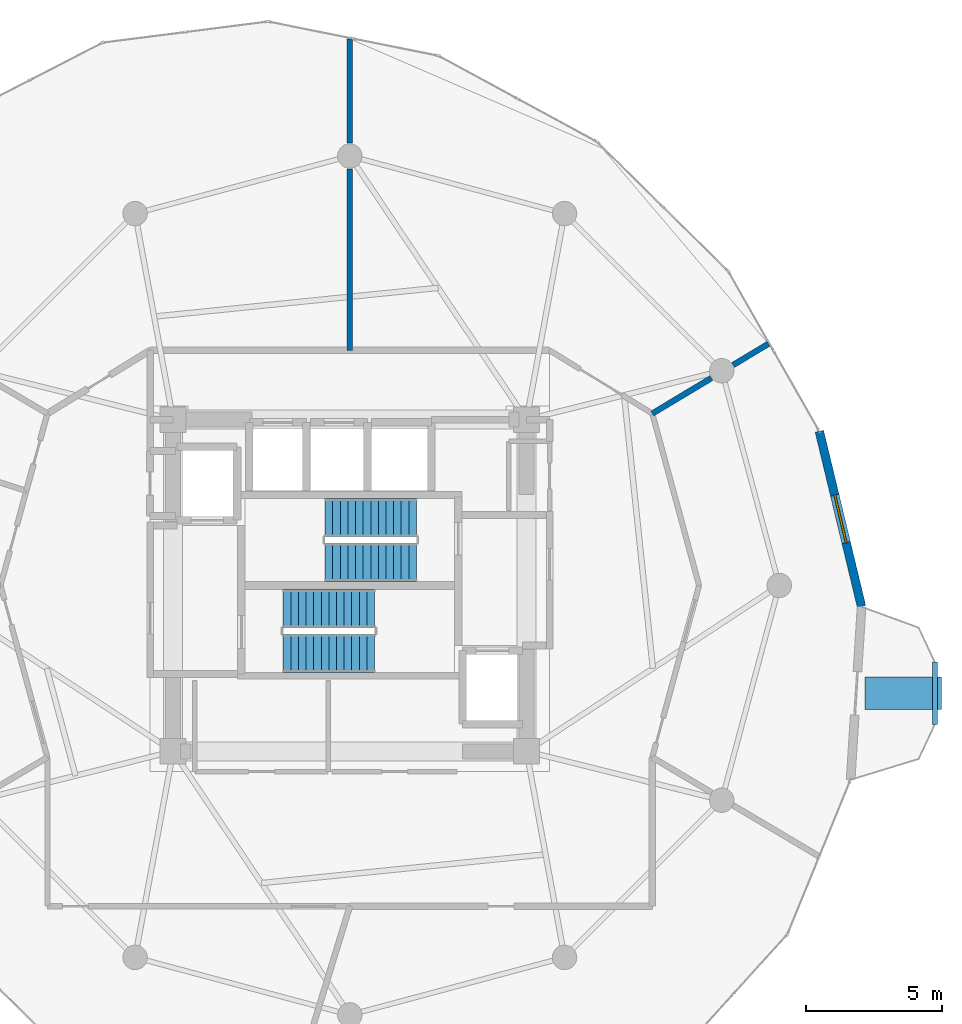
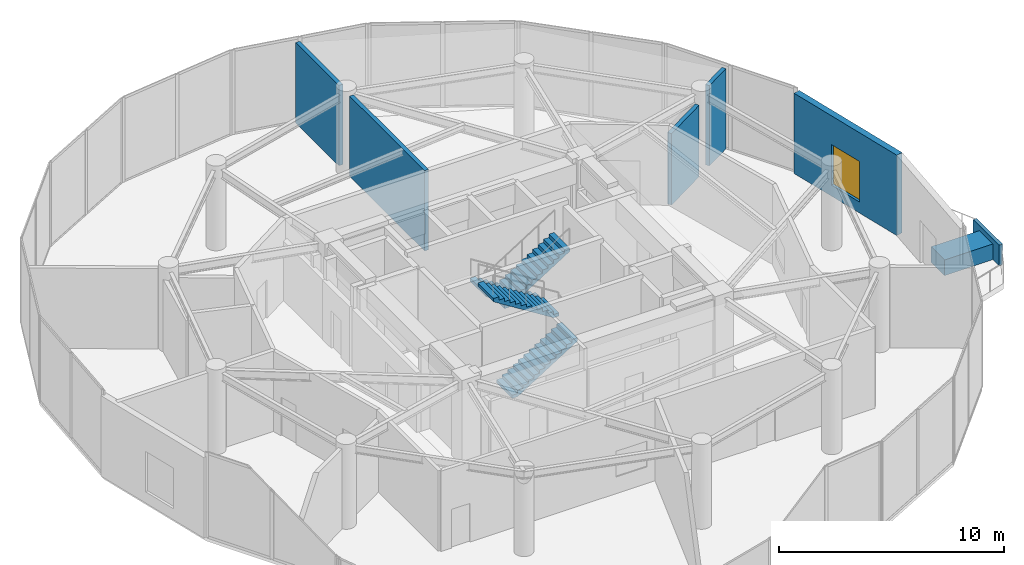
# One storey, part 21 of 23: 6 walls, 4 stair flights, 1 discrete accessory, 1 window, 1 opening, 2 elements without a shape of their own.
"""IFC4 building model written with IfcOpenShell, lengths in metres."""

from ifc_helpers import new_model, si_unit, direction, frame, frame_2d, origin, origin_2d, place, context, subcontext, project, spatial, polyline, rectangle, outline, extrude, material, layer, layer_set, type_object, element, fill, aggregate, save


model = new_model("IFC4")

# Units and contexts
model_context = context("Model", 3, precision=1e-05, world=origin(), true_north=direction((0.0, 1.0)))
body_context = subcontext(model_context, "Body", "Model", "MODEL_VIEW")
ifc_project = project(units=[si_unit("LENGTHUNIT", "METRE"), si_unit("AREAUNIT", "SQUARE_METRE"), si_unit("VOLUMEUNIT", "CUBIC_METRE"), si_unit("PLANEANGLEUNIT", "RADIAN"), si_unit("MASSUNIT", "GRAM", prefix="KILO")], contexts=[model_context])

# Site, building, storey
site_placement = place(None, origin())
site = spatial("IfcSite", under=ifc_project, at=site_placement, CompositionType="ELEMENT")
building_placement = place(site_placement, origin())
building = spatial("IfcBuilding", under=site, at=building_placement, Name="Solvirekh Grand Hotel", CompositionType="ELEMENT")
storey_placement = place(building_placement, frame((0.0, 0.0, 168.60009765625)))
storey = spatial("IfcBuildingStorey", under=building, at=storey_placement, Name="L43", CompositionType="ELEMENT", Elevation=168.60009765625)

# Wall, opening, window
ifc_material_1 = material(Name="Precast concrete C45/55", Category="concrete")
ifc_layer_1 = layer(ifc_material_1, 0.320068359375)
ifc_layer_set_1 = layer_set([ifc_layer_1], Name="Precast concrete C45/55")
wall_type_1 = type_object("IfcWallType", Name="ExtLobbyWall_RC320", PredefinedType="SOLIDWALL", material=ifc_layer_set_1)
wall_1_placement = place(storey_placement, frame((17.27587890625, 5.675048828125, 0.0), z_axis=(0.0, 0.0, 1.0), x_axis=(0.23383620468, -0.972276004734, 0.0)))
wall_1 = element("IfcWall", 1, at=wall_1_placement, inside=storey, type_object=wall_type_1, Name="L43 exterior structural wall chord 4", PredefinedType="SOLIDWALL", context=body_context, shape_type="SweptSolid", body=[
    extrude(rectangle(XDim=6.63720703125, YDim=0.320068359375, at=frame_2d((3.318603515625, 0.0))), origin(), (0.0, 0.0, 1.0), 4.35986328125),
])
opening_placement = place(wall_1_placement, frame((2.4189453125, 0.0, 0.60009765625)))
opening = element("IfcOpeningElement", 2, at=opening_placement, cuts=wall_1, Name="Opening SK02", PredefinedType="OPENING", context=body_context, shape_type="SweptSolid", body=[
    extrude(rectangle(XDim=1.800048828125, YDim=2.199951171875, at=frame_2d((0.89990234375, 1.10009765625))), frame((0.0, 0.169921875, 0.0), z_axis=(0.0, -1.0, 0.0), x_axis=(1.0, 0.0, 0.0)), (0.0, 0.0, 1.0), 0.340087890625),
])
ifc_material_2 = material(Name="Champagne Low-Iron Crown Laminated Glass", Category="glass")
window_type = type_object("IfcWindowType", Name="Skylight_Pod_1800X2200", PartitioningType="SINGLE_PANEL", PredefinedType="SKYLIGHT", material=ifc_material_2)
window_placement = place(opening_placement, origin())
window = element("IfcWindow", 3, at=window_placement, inside=storey, type_object=window_type, Name="L43 high-level clerestory skylight 4", OverallHeight=2.199951171875, OverallWidth=1.800048828125, PartitioningType="SINGLE_PANEL", PredefinedType="SKYLIGHT", context=body_context, shape_type="SweptSolid", body=[
    extrude(rectangle(XDim=1.800048828125, YDim=2.199951171875, at=frame_2d((0.89990234375, 1.10009765625))), frame((0.0, 0.030029296875, 0.0), z_axis=(0.0, -1.0, 0.0), x_axis=(1.0, 0.0, 0.0)), (0.0, 0.0, 1.0), 0.06005859375),
])
fill(opening, window)

# Walls
ifc_layer_2 = layer(ifc_material_1, 0.179931640625)
ifc_layer_set_2 = layer_set([ifc_layer_2], Name="Precast concrete C45/55")
wall_type_2 = type_object("IfcWallType", Name="ExtPlanterWall_180", PredefinedType="PARAPET", material=ifc_layer_set_2)
wall_2_placement = place(storey_placement, frame((21.528076171875, -5.114013671875, 0.0), z_axis=(0.0, 0.0, 1.0), x_axis=(0.0, 1.0, 0.0)))
element("IfcWall", 4, at=wall_2_placement, inside=storey, type_object=wall_type_2, Name="L43 horn sky-garden planter parapet", PredefinedType="PARAPET", context=body_context, shape_type="SweptSolid", body=[
    extrude(rectangle(XDim=2.294921875, YDim=0.179931640625, at=frame_2d((1.1474609375, 0.0))), origin(), (0.0, 0.0, 1.0), 1.119873046875),
])
ifc_material_3 = material(Name="Acoustic Gypsum Partition Assembly")
ifc_layer_3 = layer(ifc_material_3, 0.2099609375)
ifc_layer_set_3 = layer_set([ifc_layer_3], Name="Acoustic Gypsum Partition Assembly")
wall_type_3 = type_object("IfcWallType", Name="Part_SuiteDemise_210", PredefinedType="PARTITIONING", material=ifc_layer_set_3)
wall_3_placement = place(storey_placement, frame((11.1279296875, 6.324951171875, 0.0), z_axis=(0.0, 0.0, 1.0), x_axis=(0.857271697039, 0.514864290328, 0.0)))
element("IfcWall", 5, at=wall_3_placement, inside=storey, type_object=wall_type_3, Name="L43 radial demising wall 2 (A)", PredefinedType="PARTITIONING", context=body_context, shape_type="SweptSolid", body=[
    extrude(rectangle(XDim=2.53271484375, YDim=0.2099609375, at=frame_2d((1.266357421875, 0.0))), origin(), (0.0, 0.0, 1.0), 3.876953125),
])
wall_4_placement = place(storey_placement, frame((14.10302734375, 8.112060546875, 0.0), z_axis=(0.0, 0.0, 1.0), x_axis=(0.857222267269, 0.514946584122, 0.0)))
element("IfcWall", 6, at=wall_4_placement, inside=storey, type_object=wall_type_3, Name="L43 radial demising wall 2 (B)", PredefinedType="PARTITIONING", context=body_context, shape_type="SweptSolid", body=[
    extrude(rectangle(XDim=1.512939453125, YDim=0.2099609375, at=frame_2d((0.75634765625, 0.0))), origin(), (0.0, 0.0, 1.0), 4.35986328125),
])
wall_5_placement = place(storey_placement, frame((0.0, 8.64990234375, 0.0), z_axis=(0.0, 0.0, 1.0), x_axis=(0.0, 1.0, 0.0)))
element("IfcWall", 7, at=wall_5_placement, inside=storey, type_object=wall_type_3, Name="L43 Upper Sky Lobby dividing partition 1 (A)", PredefinedType="PARTITIONING", context=body_context, shape_type="SweptSolid", body=[
    extrude(rectangle(XDim=6.68017578125, YDim=0.2099609375, at=frame_2d((3.340087890625, 0.0))), origin(), (0.0, 0.0, 1.0), 4.35986328125),
])
wall_6_placement = place(storey_placement, frame((0.0, 16.27001953125, 0.0), z_axis=(0.0, 0.0, 1.0), x_axis=(0.0, 1.0, 0.0)))
element("IfcWall", 8, at=wall_6_placement, inside=storey, type_object=wall_type_3, Name="L43 Upper Sky Lobby dividing partition 1 (B)", PredefinedType="PARTITIONING", context=body_context, shape_type="SweptSolid", body=[
    extrude(rectangle(XDim=3.843994140625, YDim=0.2099609375, at=frame_2d((1.921875, 0.0))), origin(), (0.0, 0.0, 1.0), 4.35986328125),
])

# Stair, stair flights
ifc_material_4 = material(Name="Concrete C40/50", Category="concrete")
stair_type = type_object("IfcStairType", Name="Stair_Core_1450", PredefinedType="HALF_TURN_STAIR", material=ifc_material_4)
stair_1_placement = place(storey_placement, origin())
stair_1 = element("IfcStair", 9, at=stair_1_placement, inside=storey, type_object=stair_type, Name="L43 Enclosed exit stair ST-1", PredefinedType="HALF_TURN_STAIR")
stair_flight_type = type_object("IfcStairFlightType", Name="Flight_Core_1450", PredefinedType="STRAIGHT", material=ifc_material_4)
stair_flight_1_placement = place(storey_placement, frame((-2.449951171875, -2.5, 0.0), z_axis=(0.0, 0.0, 1.0), x_axis=(1.0, 0.0, 0.0)))
stair_flight_1 = element("IfcStairFlight", 10, at=stair_flight_1_placement, type_object=stair_flight_type, Name="ST-1 flight 1", NumberOfRisers=13, NumberOfTreads=12, PredefinedType="STRAIGHT", RiserHeight=0.176923077, TreadLength=0.28, context=body_context, shape_type="SweptSolid", body=[
    extrude(outline(polyline([(0.0, 0.0), (0.0, 0.177001953125), (0.280029296875, 0.177001953125), (0.280029296875, 0.353759765625), (0.56005859375, 0.353759765625), (0.56005859375, 0.53076171875), (0.840087890625, 0.53076171875), (0.840087890625, 0.707763671875), (1.1201171875, 0.707763671875), (1.1201171875, 0.884521484375), (1.39990234375, 0.884521484375), (1.39990234375, 1.0615234375), (1.679931640625, 1.0615234375), (1.679931640625, 1.238525390625), (1.9599609375, 1.238525390625), (1.9599609375, 1.415283203125), (2.239990234375, 1.415283203125), (2.239990234375, 1.59228515625), (2.52001953125, 1.59228515625), (2.52001953125, 1.769287109375), (2.800048828125, 1.769287109375), (2.800048828125, 1.946044921875), (3.080078125, 1.946044921875), (3.080078125, 2.123046875), (3.360107421875, 2.123046875), (3.360107421875, 2.300048828125), (3.360107421875, 1.94580078125), (0.280517578125, 0.0), (0.0, 0.0)])), frame((0.0, 0.699951171875, 0.0), z_axis=(0.0, -1.0, 0.0), x_axis=(1.0, 0.0, 0.0)), (0.0, 0.0, 1.0), 1.39990234375),
])
stair_flight_2_placement = place(storey_placement, frame((0.909912109375, -0.85009765625, 2.2998046875), z_axis=(0.0, 0.0, 1.0), x_axis=(-1.0, 0.0, 0.0)))
stair_flight_2 = element("IfcStairFlight", 11, at=stair_flight_2_placement, type_object=stair_flight_type, Name="ST-1 flight 2", NumberOfRisers=13, NumberOfTreads=12, PredefinedType="STRAIGHT", RiserHeight=0.176923077, TreadLength=0.28, context=body_context, shape_type="SweptSolid", body=[
    extrude(outline(polyline([(0.0, 0.0), (0.0, 0.177001953125), (0.280029296875, 0.177001953125), (0.280029296875, 0.353759765625), (0.56005859375, 0.353759765625), (0.56005859375, 0.53076171875), (0.840087890625, 0.53076171875), (0.840087890625, 0.707763671875), (1.1201171875, 0.707763671875), (1.1201171875, 0.884521484375), (1.39990234375, 0.884521484375), (1.39990234375, 1.0615234375), (1.679931640625, 1.0615234375), (1.679931640625, 1.238525390625), (1.9599609375, 1.238525390625), (1.9599609375, 1.415283203125), (2.239990234375, 1.415283203125), (2.239990234375, 1.59228515625), (2.52001953125, 1.59228515625), (2.52001953125, 1.769287109375), (2.800048828125, 1.769287109375), (2.800048828125, 1.946044921875), (3.080078125, 1.946044921875), (3.080078125, 2.123046875), (3.360107421875, 2.123046875), (3.360107421875, 2.300048828125), (3.360107421875, 1.94580078125), (0.280517578125, 0.0), (0.0, 0.0)])), frame((0.0, 0.699951171875, 0.0), z_axis=(0.0, -1.0, 0.0), x_axis=(1.0, 0.0, 0.0)), (0.0, 0.0, 1.0), 1.39990234375),
])
aggregate(stair_1, [stair_flight_1, stair_flight_2])

stair_2_placement = place(storey_placement, origin())
stair_2 = element("IfcStair", 12, at=stair_2_placement, inside=storey, type_object=stair_type, Name="L43 Enclosed exit stair ST-2", PredefinedType="HALF_TURN_STAIR")
stair_flight_3_placement = place(storey_placement, frame((2.449951171875, 2.5, 0.0), z_axis=(0.0, 0.0, 1.0), x_axis=(-1.0, 0.0, 0.0)))
stair_flight_3 = element("IfcStairFlight", 13, at=stair_flight_3_placement, type_object=stair_flight_type, Name="ST-2 flight 1", NumberOfRisers=13, NumberOfTreads=12, PredefinedType="STRAIGHT", RiserHeight=0.176923077, TreadLength=0.28, context=body_context, shape_type="SweptSolid", body=[
    extrude(outline(polyline([(0.0, 0.0), (0.0, 0.177001953125), (0.280029296875, 0.177001953125), (0.280029296875, 0.353759765625), (0.56005859375, 0.353759765625), (0.56005859375, 0.53076171875), (0.840087890625, 0.53076171875), (0.840087890625, 0.707763671875), (1.1201171875, 0.707763671875), (1.1201171875, 0.884521484375), (1.39990234375, 0.884521484375), (1.39990234375, 1.0615234375), (1.679931640625, 1.0615234375), (1.679931640625, 1.238525390625), (1.9599609375, 1.238525390625), (1.9599609375, 1.415283203125), (2.239990234375, 1.415283203125), (2.239990234375, 1.59228515625), (2.52001953125, 1.59228515625), (2.52001953125, 1.769287109375), (2.800048828125, 1.769287109375), (2.800048828125, 1.946044921875), (3.080078125, 1.946044921875), (3.080078125, 2.123046875), (3.360107421875, 2.123046875), (3.360107421875, 2.300048828125), (3.360107421875, 1.94580078125), (0.280517578125, 0.0), (0.0, 0.0)])), frame((0.0, 0.699951171875, 0.0), z_axis=(0.0, -1.0, 0.0), x_axis=(1.0, 0.0, 0.0)), (0.0, 0.0, 1.0), 1.39990234375),
])
stair_flight_4_placement = place(storey_placement, frame((-0.909912109375, 0.85009765625, 2.2998046875), z_axis=(0.0, 0.0, 1.0), x_axis=(1.0, 0.0, 0.0)))
stair_flight_4 = element("IfcStairFlight", 14, at=stair_flight_4_placement, type_object=stair_flight_type, Name="ST-2 flight 2", NumberOfRisers=13, NumberOfTreads=12, PredefinedType="STRAIGHT", RiserHeight=0.176923077, TreadLength=0.28, context=body_context, shape_type="SweptSolid", body=[
    extrude(outline(polyline([(0.0, 0.0), (0.0, 0.177001953125), (0.280029296875, 0.177001953125), (0.280029296875, 0.353759765625), (0.56005859375, 0.353759765625), (0.56005859375, 0.53076171875), (0.840087890625, 0.53076171875), (0.840087890625, 0.707763671875), (1.1201171875, 0.707763671875), (1.1201171875, 0.884521484375), (1.39990234375, 0.884521484375), (1.39990234375, 1.0615234375), (1.679931640625, 1.0615234375), (1.679931640625, 1.238525390625), (1.9599609375, 1.238525390625), (1.9599609375, 1.415283203125), (2.239990234375, 1.415283203125), (2.239990234375, 1.59228515625), (2.52001953125, 1.59228515625), (2.52001953125, 1.769287109375), (2.800048828125, 1.769287109375), (2.800048828125, 1.946044921875), (3.080078125, 1.946044921875), (3.080078125, 2.123046875), (3.360107421875, 2.123046875), (3.360107421875, 2.300048828125), (3.360107421875, 1.94580078125), (0.280517578125, 0.0), (0.0, 0.0)])), frame((0.0, 0.699951171875, 0.0), z_axis=(0.0, -1.0, 0.0), x_axis=(1.0, 0.0, 0.0)), (0.0, 0.0, 1.0), 1.39990234375),
])
aggregate(stair_2, [stair_flight_3, stair_flight_4])

# Discrete accessory
discrete_accessory_type = type_object("IfcDiscreteAccessoryType", Name="Acc_PlanterBox", PredefinedType="USERDEFINED", material=ifc_material_1)
discrete_accessory_placement = place(storey_placement, frame((20.361083984375, -3.966064453125, -0.000244140625), z_axis=(0.0, 0.0, 1.0), x_axis=(0.0, 1.0, 0.0)))
element("IfcDiscreteAccessory", 15, at=discrete_accessory_placement, inside=storey, type_object=discrete_accessory_type, Name="L43 horn sky-garden tree planter", ObjectType="PLANTER", PredefinedType="USERDEFINED", context=body_context, shape_type="SweptSolid", body=[
    extrude(rectangle(XDim=1.199951171875, YDim=2.800048828125, at=origin_2d()), origin(), (0.0, 0.0, 1.0), 0.85009765625),
])

save(model, "model.ifc")
